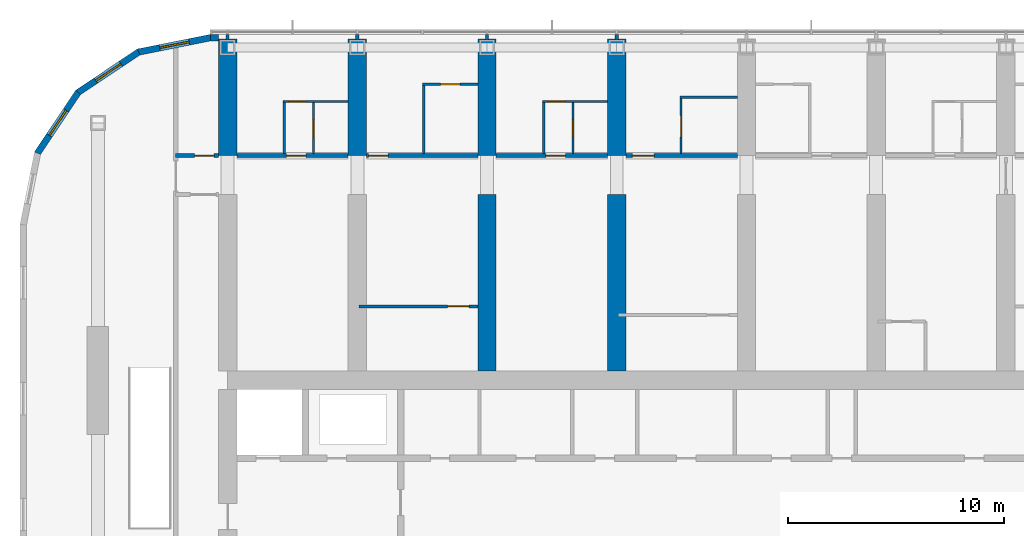
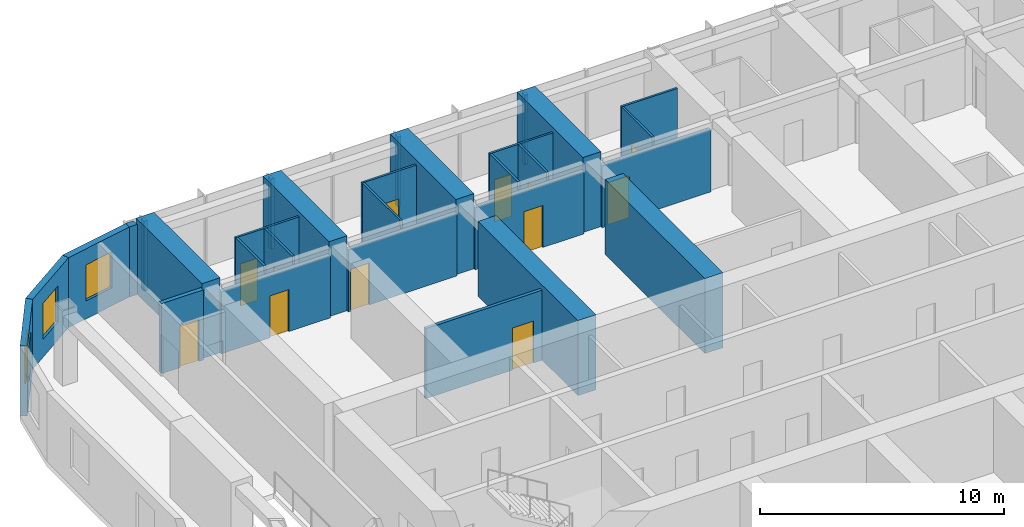
# One storey, part 15 of 22: 30 walls, 12 doors, 3 windows, 15 openings.
"""IFC4 building model written with IfcOpenShell, lengths in metres."""

from ifc_helpers import new_model, si_unit, direction, frame, frame_2d, origin, place, context, subcontext, project, spatial, polyline, rectangle, outline, extrude, material, layer, layer_set, type_object, element, fill, save


model = new_model("IFC4")

# Units and contexts
model_context = context("Model", 3, precision=1e-05, world=origin(), true_north=direction((0.0, 1.0)))
body_context = subcontext(model_context, "Body", "Model", "MODEL_VIEW")
ifc_project = project(units=[si_unit("LENGTHUNIT", "METRE"), si_unit("AREAUNIT", "SQUARE_METRE"), si_unit("VOLUMEUNIT", "CUBIC_METRE"), si_unit("PLANEANGLEUNIT", "RADIAN"), si_unit("MASSUNIT", "GRAM", prefix="KILO")], contexts=[model_context])

# Site, building, storey
site_placement = place(None, origin())
site = spatial("IfcSite", under=ifc_project, at=site_placement, CompositionType="ELEMENT")
building_placement = place(site_placement, origin())
building = spatial("IfcBuilding", under=site, at=building_placement, Name="Orbita Commons", CompositionType="ELEMENT")
storey_placement = place(building_placement, frame((0.0, 0.0, 182.35009765625)))
storey = spatial("IfcBuildingStorey", under=building, at=storey_placement, Name="L45", CompositionType="ELEMENT", Elevation=182.35009765625)

# Wall, opening, door
ifc_material_1 = material(Name="Concrete blockwork", Category="masonry")
ifc_layer_1 = layer(ifc_material_1, 0.199951171875)
ifc_layer_set_1 = layer_set([ifc_layer_1], Name="Concrete blockwork")
wall_type_1 = type_object("IfcWallType", Name="Corridor wall 200 blockwork", PredefinedType="SOLIDWALL", material=ifc_layer_set_1)
wall_1_placement = place(storey_placement, frame((15.60009765625, 48.60009765625, 0.0), z_axis=(0.0, 0.0, 1.0), x_axis=(1.0, 0.0, 0.0)))
wall_1 = element("IfcWall", 1, at=wall_1_placement, inside=storey, type_object=wall_type_1, Name="Corridor wall 200 blockwork L45", PredefinedType="SOLIDWALL", context=body_context, shape_type="SweptSolid", body=[
    extrude(rectangle(XDim=1.974853515625, YDim=0.199951171875, at=frame_2d((0.9873046875, 0.0))), origin(), (0.0, 0.0, 1.0), 3.5),
])
opening_1_placement = place(wall_1_placement, frame((0.875, 0.0, 0.0)))
opening_1 = element("IfcOpeningElement", 2, at=opening_1_placement, cuts=wall_1, Name="Opening D05", PredefinedType="OPENING", context=body_context, shape_type="SweptSolid", body=[
    extrude(rectangle(XDim=0.89990234375, YDim=2.10009765625, at=frame_2d((0.449951171875, 1.050048828125))), frame((0.0, 0.10986328125, 0.0), z_axis=(0.0, -1.0, 0.0), x_axis=(1.0, 0.0, 0.0)), (0.0, 0.0, 1.0), 0.219970703125),
])
ifc_material_2 = material(Name="Steel-faced fire door leaf", Category="steel")
door_type_1 = type_object("IfcDoorType", Name="Service door 20 min 900x2100", OperationType="SINGLE_SWING_LEFT", PredefinedType="DOOR", material=ifc_material_2)
door_1_placement = place(opening_1_placement, origin())
door_1 = element("IfcDoor", 3, at=door_1_placement, inside=storey, type_object=door_type_1, Name="Linen store L45-KWN door", OperationType="SINGLE_SWING_LEFT", OverallHeight=2.10009765625, OverallWidth=0.89990234375, PredefinedType="DOOR", context=body_context, shape_type="SweptSolid", body=[
    extrude(rectangle(XDim=0.89990234375, YDim=2.10009765625, at=frame_2d((0.449951171875, 1.050048828125))), frame((0.0, 0.02490234375, 0.0), z_axis=(0.0, -1.0, 0.0), x_axis=(1.0, 0.0, 0.0)), (0.0, 0.0, 1.0), 0.050048828125),
])
fill(opening_1, door_1)

wall_2_placement = place(storey_placement, frame((18.425048828125, 48.60009765625, 0.0), z_axis=(0.0, 0.0, 1.0), x_axis=(1.0, 0.0, 0.0)))
wall_2 = element("IfcWall", 4, at=wall_2_placement, inside=storey, type_object=wall_type_1, Name="Corridor wall 200 blockwork L45", PredefinedType="SOLIDWALL", context=body_context, shape_type="SweptSolid", body=[
    extrude(outline(polyline([(0.0, 0.0), (5.14990234375, 0.0), (5.14990234375, 3.099853515625), (0.0, 3.099853515625), (0.0, 0.0)])), frame((0.0, 0.10009765625, 0.0), z_axis=(0.0, -1.0, 0.0), x_axis=(1.0, 0.0, 0.0)), (0.0, 0.0, 1.0), 0.199951171875),
])
opening_2_placement = place(wall_2_placement, frame((2.300048828125, 0.0, 0.0)))
opening_2 = element("IfcOpeningElement", 5, at=opening_2_placement, cuts=wall_2, Name="Opening D11", PredefinedType="OPENING", context=body_context, shape_type="SweptSolid", body=[
    extrude(rectangle(XDim=0.89990234375, YDim=2.10009765625, at=frame_2d((0.449951171875, 1.050048828125))), frame((0.0, 0.10986328125, 0.0), z_axis=(0.0, -1.0, 0.0), x_axis=(1.0, 0.0, 0.0)), (0.0, 0.0, 1.0), 0.219970703125),
])
ifc_material_3 = material(Name="Steel-faced fire door leaf", Category="steel")
door_type_2 = type_object("IfcDoorType", Name="Corridor door 20 min 900x2100", OperationType="SINGLE_SWING_LEFT", PredefinedType="DOOR", material=ifc_material_3)
door_2_placement = place(opening_2_placement, origin())
door_2 = element("IfcDoor", 6, at=door_2_placement, inside=storey, type_object=door_type_2, Name="Studio flat L45-N00 entrance door", OperationType="SINGLE_SWING_LEFT", OverallHeight=2.10009765625, OverallWidth=0.89990234375, PredefinedType="DOOR", context=body_context, shape_type="SweptSolid", body=[
    extrude(rectangle(XDim=0.89990234375, YDim=2.10009765625, at=frame_2d((0.449951171875, 1.050048828125))), frame((0.0, 0.02490234375, 0.0), z_axis=(0.0, -1.0, 0.0), x_axis=(1.0, 0.0, 0.0)), (0.0, 0.0, 1.0), 0.050048828125),
])
fill(opening_2, door_2)

wall_3_placement = place(storey_placement, frame((24.425048828125, 48.60009765625, 0.0), z_axis=(0.0, 0.0, 1.0), x_axis=(1.0, 0.0, 0.0)))
wall_3 = element("IfcWall", 7, at=wall_3_placement, inside=storey, type_object=wall_type_1, Name="Corridor wall 200 blockwork L45", PredefinedType="SOLIDWALL", context=body_context, shape_type="SweptSolid", body=[
    extrude(outline(polyline([(0.0, 0.0), (5.14990234375, 0.0), (5.14990234375, 3.099853515625), (0.0, 3.099853515625), (0.0, 0.0)])), frame((0.0, 0.10009765625, 0.0), z_axis=(0.0, -1.0, 0.0), x_axis=(1.0, 0.0, 0.0)), (0.0, 0.0, 1.0), 0.199951171875),
])
opening_3_placement = place(wall_3_placement, frame((0.10009765625, 0.0, 0.0)))
opening_3 = element("IfcOpeningElement", 8, at=opening_3_placement, cuts=wall_3, Name="Opening D11", PredefinedType="OPENING", context=body_context, shape_type="SweptSolid", body=[
    extrude(rectangle(XDim=0.89990234375, YDim=2.10009765625, at=frame_2d((0.449951171875, 1.050048828125))), frame((0.0, 0.10986328125, 0.0), z_axis=(0.0, -1.0, 0.0), x_axis=(1.0, 0.0, 0.0)), (0.0, 0.0, 1.0), 0.219970703125),
])
door_3_placement = place(opening_3_placement, origin())
door_3 = element("IfcDoor", 9, at=door_3_placement, inside=storey, type_object=door_type_2, Name="Twin room L45-N02 door", OperationType="SINGLE_SWING_LEFT", OverallHeight=2.10009765625, OverallWidth=0.89990234375, PredefinedType="DOOR", context=body_context, shape_type="SweptSolid", body=[
    extrude(rectangle(XDim=0.89990234375, YDim=2.10009765625, at=frame_2d((0.449951171875, 1.050048828125))), frame((0.0, 0.02490234375, 0.0), z_axis=(0.0, -1.0, 0.0), x_axis=(1.0, 0.0, 0.0)), (0.0, 0.0, 1.0), 0.050048828125),
])
fill(opening_3, door_3)

wall_4_placement = place(storey_placement, frame((30.425048828125, 48.60009765625, 0.0), z_axis=(0.0, 0.0, 1.0), x_axis=(1.0, 0.0, 0.0)))
wall_4 = element("IfcWall", 10, at=wall_4_placement, inside=storey, type_object=wall_type_1, Name="Corridor wall 200 blockwork L45", PredefinedType="SOLIDWALL", context=body_context, shape_type="SweptSolid", body=[
    extrude(outline(polyline([(0.0, 0.0), (5.14990234375, 0.0), (5.14990234375, 3.099853515625), (0.0, 3.099853515625), (0.0, 0.0)])), frame((0.0, 0.10009765625, 0.0), z_axis=(0.0, -1.0, 0.0), x_axis=(1.0, 0.0, 0.0)), (0.0, 0.0, 1.0), 0.199951171875),
])
opening_4_placement = place(wall_4_placement, frame((2.300048828125, 0.0, 0.0)))
opening_4 = element("IfcOpeningElement", 11, at=opening_4_placement, cuts=wall_4, Name="Opening D11", PredefinedType="OPENING", context=body_context, shape_type="SweptSolid", body=[
    extrude(rectangle(XDim=0.89990234375, YDim=2.10009765625, at=frame_2d((0.449951171875, 1.050048828125))), frame((0.0, 0.10986328125, 0.0), z_axis=(0.0, -1.0, 0.0), x_axis=(1.0, 0.0, 0.0)), (0.0, 0.0, 1.0), 0.219970703125),
])
door_4_placement = place(opening_4_placement, origin())
door_4 = element("IfcDoor", 12, at=door_4_placement, inside=storey, type_object=door_type_2, Name="Studio flat L45-N04 entrance door", OperationType="SINGLE_SWING_LEFT", OverallHeight=2.10009765625, OverallWidth=0.89990234375, PredefinedType="DOOR", context=body_context, shape_type="SweptSolid", body=[
    extrude(rectangle(XDim=0.89990234375, YDim=2.10009765625, at=frame_2d((0.449951171875, 1.050048828125))), frame((0.0, 0.02490234375, 0.0), z_axis=(0.0, -1.0, 0.0), x_axis=(1.0, 0.0, 0.0)), (0.0, 0.0, 1.0), 0.050048828125),
])
fill(opening_4, door_4)

wall_5_placement = place(storey_placement, frame((36.425048828125, 48.60009765625, 0.0), z_axis=(0.0, 0.0, 1.0), x_axis=(1.0, 0.0, 0.0)))
wall_5 = element("IfcWall", 13, at=wall_5_placement, inside=storey, type_object=wall_type_1, Name="Corridor wall 200 blockwork L45", PredefinedType="SOLIDWALL", context=body_context, shape_type="SweptSolid", body=[
    extrude(outline(polyline([(0.0, 0.0), (5.14990234375, 0.0), (5.14990234375, 3.099853515625), (0.0, 3.099853515625), (0.0, 0.0)])), frame((0.0, 0.10009765625, 0.0), z_axis=(0.0, -1.0, 0.0), x_axis=(1.0, 0.0, 0.0)), (0.0, 0.0, 1.0), 0.199951171875),
])
opening_5_placement = place(wall_5_placement, frame((0.300048828125, 0.0, 0.0)))
opening_5 = element("IfcOpeningElement", 14, at=opening_5_placement, cuts=wall_5, Name="Opening D06", PredefinedType="OPENING", context=body_context, shape_type="SweptSolid", body=[
    extrude(rectangle(XDim=1.0, YDim=2.10009765625, at=frame_2d((0.5, 1.050048828125))), frame((0.0, 0.10986328125, 0.0), z_axis=(0.0, -1.0, 0.0), x_axis=(1.0, 0.0, 0.0)), (0.0, 0.0, 1.0), 0.219970703125),
])
ifc_material_4 = material(Name="Steel-faced fire door leaf", Category="steel")
door_type_3 = type_object("IfcDoorType", Name="Corridor door 20 min 1000x2100", OperationType="SINGLE_SWING_LEFT", PredefinedType="DOOR", material=ifc_material_4)
door_5_placement = place(opening_5_placement, origin())
door_5 = element("IfcDoor", 15, at=door_5_placement, inside=storey, type_object=door_type_3, Name="Accessible bedroom L45-N06 door", OperationType="SINGLE_SWING_LEFT", OverallHeight=2.10009765625, OverallWidth=1.0, PredefinedType="DOOR", context=body_context, shape_type="SweptSolid", body=[
    extrude(rectangle(XDim=1.0, YDim=2.10009765625, at=frame_2d((0.5, 1.050048828125))), frame((0.0, 0.02490234375, 0.0), z_axis=(0.0, -1.0, 0.0), x_axis=(1.0, 0.0, 0.0)), (0.0, 0.0, 1.0), 0.050048828125),
])
fill(opening_5, door_5)

# Walls
ifc_material_5 = material(Name="Concrete C50/60", Category="concrete")
ifc_layer_2 = layer(ifc_material_5, 0.85009765625)
ifc_layer_set_2 = layer_set([ifc_layer_2], Name="Concrete C50/60")
wall_type_2 = type_object("IfcWallType", Name="Cross wall 850 C50/60", PredefinedType="SHEAR", material=ifc_layer_set_2)
for number, where, z_axis, x_axis, name in (
    (16, (18.0, 48.60009765625, 0.0), (0.0, 0.0, 1.0), (0.0, 1.0, 0.0), "Cross wall 4 north outer L45"),
    (17, (24.0, 48.60009765625, 0.0), (0.0, 0.0, 1.0), (0.0, 1.0, 0.0), "Cross wall 5 north outer L45"),
    (18, (30.0, 48.60009765625, 0.0), (0.0, 0.0, 1.0), (0.0, 1.0, 0.0), "Cross wall 6 north outer L45"),
):
    element("IfcWall", number, at=place(storey_placement, frame(where, z_axis=z_axis, x_axis=x_axis)), inside=storey, type_object=wall_type_2, Name=name, PredefinedType="SHEAR", context=body_context, shape_type="SweptSolid", body=[
        extrude(rectangle(XDim=5.39990234375, YDim=0.85009765625, at=frame_2d((2.699951171875, 0.0))), origin(), (0.0, 0.0, 1.0), 3.75),
    ])
wall_6_placement = place(storey_placement, frame((30.0, 38.625, 0.0), z_axis=(0.0, 0.0, 1.0), x_axis=(0.0, 1.0, 0.0)))
element("IfcWall", 19, at=wall_6_placement, inside=storey, type_object=wall_type_2, Name="Cross wall 6 north inner L45", PredefinedType="SHEAR", context=body_context, shape_type="SweptSolid", body=[
    extrude(rectangle(XDim=8.175048828125, YDim=0.85009765625, at=frame_2d((4.08740234375, 0.0))), origin(), (0.0, 0.0, 1.0), 3.75),
])
wall_7_placement = place(storey_placement, frame((36.0, 48.60009765625, 0.0), z_axis=(0.0, 0.0, 1.0), x_axis=(0.0, 1.0, 0.0)))
element("IfcWall", 20, at=wall_7_placement, inside=storey, type_object=wall_type_2, Name="Cross wall 7 north outer L45", PredefinedType="SHEAR", context=body_context, shape_type="SweptSolid", body=[
    extrude(rectangle(XDim=5.39990234375, YDim=0.85009765625, at=frame_2d((2.699951171875, 0.0))), origin(), (0.0, 0.0, 1.0), 3.75),
])
wall_8_placement = place(storey_placement, frame((36.0, 38.625, 0.0), z_axis=(0.0, 0.0, 1.0), x_axis=(0.0, 1.0, 0.0)))
element("IfcWall", 21, at=wall_8_placement, inside=storey, type_object=wall_type_2, Name="Cross wall 7 north inner L45", PredefinedType="SHEAR", context=body_context, shape_type="SweptSolid", body=[
    extrude(rectangle(XDim=8.175048828125, YDim=0.85009765625, at=frame_2d((4.08740234375, 0.0))), origin(), (0.0, 0.0, 1.0), 3.75),
])

# Wall, opening, door
ifc_material_6 = material(Name="Moisture-resistant plasterboard on steel studs", Category="steel")
ifc_layer_3 = layer(ifc_material_6, 0.10009765625)
ifc_layer_set_3 = layer_set([ifc_layer_3], Name="Moisture-resistant plasterboard on steel studs")
wall_type_3 = type_object("IfcWallType", Name="En-suite partition 100", PredefinedType="PARTITIONING", material=ifc_layer_set_3)
wall_9_placement = place(storey_placement, frame((20.574951171875, 51.10009765625, 0.0), z_axis=(0.0, 0.0, 1.0), x_axis=(1.0, 0.0, 0.0)))
wall_9 = element("IfcWall", 22, at=wall_9_placement, inside=storey, type_object=wall_type_3, Name="En-suite partition 100 L45", PredefinedType="PARTITIONING", context=body_context, shape_type="SweptSolid", body=[
    extrude(rectangle(XDim=3.0, YDim=0.10009765625, at=frame_2d((1.5, 0.0))), origin(), (0.0, 0.0, 1.0), 3.5),
])
opening_6_placement = place(wall_9_placement, frame((0.25, 0.0, 0.0)))
opening_6 = element("IfcOpeningElement", 23, at=opening_6_placement, cuts=wall_9, Name="Opening D16", PredefinedType="OPENING", context=body_context, shape_type="SweptSolid", body=[
    extrude(rectangle(XDim=0.800048828125, YDim=2.10009765625, at=frame_2d((0.39990234375, 1.050048828125))), frame((0.0, 0.06005859375, 0.0), z_axis=(0.0, -1.0, 0.0), x_axis=(1.0, 0.0, 0.0)), (0.0, 0.0, 1.0), 0.1201171875),
])
ifc_material_7 = material(Name="Laminated timber door leaf", Category="wood")
door_type_4 = type_object("IfcDoorType", Name="En-suite door 800x2100", OperationType="SINGLE_SWING_RIGHT", PredefinedType="DOOR", material=ifc_material_7)
door_6_placement = place(opening_6_placement, origin())
door_6 = element("IfcDoor", 24, at=door_6_placement, inside=storey, type_object=door_type_4, Name="Studio flat L45-N00 door", OperationType="SINGLE_SWING_RIGHT", OverallHeight=2.10009765625, OverallWidth=0.800048828125, PredefinedType="DOOR", context=body_context, shape_type="SweptSolid", body=[
    extrude(rectangle(XDim=0.800048828125, YDim=2.10009765625, at=frame_2d((0.39990234375, 1.050048828125))), frame((0.0, 0.02490234375, 0.0), z_axis=(0.0, -1.0, 0.0), x_axis=(1.0, 0.0, 0.0)), (0.0, 0.0, 1.0), 0.050048828125),
])
fill(opening_6, door_6)

# Wall
wall_10_placement = place(storey_placement, frame((20.625, 51.050048828125, 0.0), z_axis=(0.0, 0.0, 1.0), x_axis=(0.0, -1.0, 0.0)))
element("IfcWall", 25, at=wall_10_placement, inside=storey, type_object=wall_type_3, Name="En-suite partition 100 L45", PredefinedType="PARTITIONING", context=body_context, shape_type="SweptSolid", body=[
    extrude(outline(polyline([(0.0, 0.0), (2.35009765625, 0.0), (2.35009765625, 3.099853515625), (2.302001953125, 3.099853515625), (2.300048828125, 3.5), (0.0, 3.5), (0.0, 0.0)])), frame((0.0, 0.050048828125, 0.0), z_axis=(0.0, -1.0, 0.0), x_axis=(1.0, 0.0, 0.0)), (0.0, 0.0, 1.0), 0.10009765625),
])

# Wall, opening, door
wall_11_placement = place(storey_placement, frame((21.97509765625, 51.050048828125, 0.0), z_axis=(0.0, 0.0, 1.0), x_axis=(0.0, -1.0, 0.0)))
wall_11 = element("IfcWall", 26, at=wall_11_placement, inside=storey, type_object=wall_type_3, Name="En-suite partition 100 L45", PredefinedType="PARTITIONING", context=body_context, shape_type="SweptSolid", body=[
    extrude(outline(polyline([(0.0, 0.0), (2.35009765625, 0.0), (2.35009765625, 3.099853515625), (2.302001953125, 3.099853515625), (2.300048828125, 3.5), (0.0, 3.5), (0.0, 0.0)])), frame((0.0, 0.050048828125, 0.0), z_axis=(0.0, -1.0, 0.0), x_axis=(1.0, 0.0, 0.0)), (0.0, 0.0, 1.0), 0.10009765625),
])
opening_7_placement = place(wall_11_placement, frame((0.800048828125, 0.0, 0.0)))
opening_7 = element("IfcOpeningElement", 27, at=opening_7_placement, cuts=wall_11, Name="Opening D16", PredefinedType="OPENING", context=body_context, shape_type="SweptSolid", body=[
    extrude(rectangle(XDim=0.800048828125, YDim=2.10009765625, at=frame_2d((0.39990234375, 1.050048828125))), frame((0.0, 0.06005859375, 0.0), z_axis=(0.0, -1.0, 0.0), x_axis=(1.0, 0.0, 0.0)), (0.0, 0.0, 1.0), 0.1201171875),
])
door_7_placement = place(opening_7_placement, origin())
door_7 = element("IfcDoor", 28, at=door_7_placement, inside=storey, type_object=door_type_4, Name="Studio flat shower room L45-N00 door", OperationType="SINGLE_SWING_RIGHT", OverallHeight=2.10009765625, OverallWidth=0.800048828125, PredefinedType="DOOR", context=body_context, shape_type="SweptSolid", body=[
    extrude(rectangle(XDim=0.800048828125, YDim=2.10009765625, at=frame_2d((0.39990234375, 1.050048828125))), frame((0.0, 0.02490234375, 0.0), z_axis=(0.0, -1.0, 0.0), x_axis=(1.0, 0.0, 0.0)), (0.0, 0.0, 1.0), 0.050048828125),
])
fill(opening_7, door_7)

wall_12_placement = place(storey_placement, frame((27.02490234375, 51.89990234375, 0.0), z_axis=(0.0, 0.0, 1.0), x_axis=(1.0, 0.0, 0.0)))
wall_12 = element("IfcWall", 29, at=wall_12_placement, inside=storey, type_object=wall_type_3, Name="En-suite partition 100 L45", PredefinedType="PARTITIONING", context=body_context, shape_type="SweptSolid", body=[
    extrude(rectangle(XDim=2.550048828125, YDim=0.10009765625, at=frame_2d((1.27490234375, 0.0))), origin(), (0.0, 0.0, 1.0), 3.5),
])
opening_8_placement = place(wall_12_placement, frame((0.824951171875, 0.0, 0.0)))
opening_8 = element("IfcOpeningElement", 30, at=opening_8_placement, cuts=wall_12, Name="Opening D09", PredefinedType="OPENING", context=body_context, shape_type="SweptSolid", body=[
    extrude(rectangle(XDim=0.89990234375, YDim=2.10009765625, at=frame_2d((0.449951171875, 1.050048828125))), frame((0.0, 0.06005859375, 0.0), z_axis=(0.0, -1.0, 0.0), x_axis=(1.0, 0.0, 0.0)), (0.0, 0.0, 1.0), 0.1201171875),
])
ifc_material_8 = material(Name="Laminated timber door leaf", Category="wood")
door_type_5 = type_object("IfcDoorType", Name="En-suite door 900x2100", OperationType="SINGLE_SWING_RIGHT", PredefinedType="DOOR", material=ifc_material_8)
door_8_placement = place(opening_8_placement, origin())
door_8 = element("IfcDoor", 31, at=door_8_placement, inside=storey, type_object=door_type_5, Name="En-suite L45-N02 door", OperationType="SINGLE_SWING_RIGHT", OverallHeight=2.10009765625, OverallWidth=0.89990234375, PredefinedType="DOOR", context=body_context, shape_type="SweptSolid", body=[
    extrude(rectangle(XDim=0.89990234375, YDim=2.10009765625, at=frame_2d((0.449951171875, 1.050048828125))), frame((0.0, 0.02490234375, 0.0), z_axis=(0.0, -1.0, 0.0), x_axis=(1.0, 0.0, 0.0)), (0.0, 0.0, 1.0), 0.050048828125),
])
fill(opening_8, door_8)

# Wall
wall_13_placement = place(storey_placement, frame((27.074951171875, 51.85009765625, 0.0), z_axis=(0.0, 0.0, 1.0), x_axis=(0.0, -1.0, 0.0)))
element("IfcWall", 32, at=wall_13_placement, inside=storey, type_object=wall_type_3, Name="En-suite partition 100 L45", PredefinedType="PARTITIONING", context=body_context, shape_type="SweptSolid", body=[
    extrude(outline(polyline([(0.0, 0.0), (3.150146484375, 0.0), (3.14990234375, 3.099853515625), (3.10205078125, 3.099853515625), (3.10009765625, 3.5), (0.0, 3.5), (0.0, 0.0)])), frame((0.0, 0.050048828125, 0.0), z_axis=(0.0, -1.0, 0.0), x_axis=(1.0, 0.0, 0.0)), (0.0, 0.0, 1.0), 0.10009765625),
])

# Wall, opening, door
wall_14_placement = place(storey_placement, frame((32.574951171875, 51.10009765625, 0.0), z_axis=(0.0, 0.0, 1.0), x_axis=(1.0, 0.0, 0.0)))
wall_14 = element("IfcWall", 33, at=wall_14_placement, inside=storey, type_object=wall_type_3, Name="En-suite partition 100 L45", PredefinedType="PARTITIONING", context=body_context, shape_type="SweptSolid", body=[
    extrude(rectangle(XDim=3.0, YDim=0.10009765625, at=frame_2d((1.5, 0.0))), origin(), (0.0, 0.0, 1.0), 3.5),
])
opening_9_placement = place(wall_14_placement, frame((0.25, 0.0, 0.0)))
opening_9 = element("IfcOpeningElement", 34, at=opening_9_placement, cuts=wall_14, Name="Opening D16", PredefinedType="OPENING", context=body_context, shape_type="SweptSolid", body=[
    extrude(rectangle(XDim=0.800048828125, YDim=2.10009765625, at=frame_2d((0.39990234375, 1.050048828125))), frame((0.0, 0.06005859375, 0.0), z_axis=(0.0, -1.0, 0.0), x_axis=(1.0, 0.0, 0.0)), (0.0, 0.0, 1.0), 0.1201171875),
])
door_9_placement = place(opening_9_placement, origin())
door_9 = element("IfcDoor", 35, at=door_9_placement, inside=storey, type_object=door_type_4, Name="Studio flat L45-N04 door", OperationType="SINGLE_SWING_RIGHT", OverallHeight=2.10009765625, OverallWidth=0.800048828125, PredefinedType="DOOR", context=body_context, shape_type="SweptSolid", body=[
    extrude(rectangle(XDim=0.800048828125, YDim=2.10009765625, at=frame_2d((0.39990234375, 1.050048828125))), frame((0.0, 0.02490234375, 0.0), z_axis=(0.0, -1.0, 0.0), x_axis=(1.0, 0.0, 0.0)), (0.0, 0.0, 1.0), 0.050048828125),
])
fill(opening_9, door_9)

# Wall
wall_15_placement = place(storey_placement, frame((32.625, 51.050048828125, 0.0), z_axis=(0.0, 0.0, 1.0), x_axis=(0.0, -1.0, 0.0)))
element("IfcWall", 36, at=wall_15_placement, inside=storey, type_object=wall_type_3, Name="En-suite partition 100 L45", PredefinedType="PARTITIONING", context=body_context, shape_type="SweptSolid", body=[
    extrude(outline(polyline([(0.0, 0.0), (2.35009765625, 0.0), (2.35009765625, 3.099853515625), (2.302001953125, 3.099853515625), (2.300048828125, 3.5), (0.0, 3.5), (0.0, 0.0)])), frame((0.0, 0.050048828125, 0.0), z_axis=(0.0, -1.0, 0.0), x_axis=(1.0, 0.0, 0.0)), (0.0, 0.0, 1.0), 0.10009765625),
])

# Wall, opening, door
wall_16_placement = place(storey_placement, frame((33.97509765625, 51.050048828125, 0.0), z_axis=(0.0, 0.0, 1.0), x_axis=(0.0, -1.0, 0.0)))
wall_16 = element("IfcWall", 37, at=wall_16_placement, inside=storey, type_object=wall_type_3, Name="En-suite partition 100 L45", PredefinedType="PARTITIONING", context=body_context, shape_type="SweptSolid", body=[
    extrude(outline(polyline([(0.0, 0.0), (2.35009765625, 0.0), (2.35009765625, 3.099853515625), (2.302001953125, 3.099853515625), (2.300048828125, 3.5), (0.0, 3.5), (0.0, 0.0)])), frame((0.0, 0.050048828125, 0.0), z_axis=(0.0, -1.0, 0.0), x_axis=(1.0, 0.0, 0.0)), (0.0, 0.0, 1.0), 0.10009765625),
])
opening_10_placement = place(wall_16_placement, frame((0.800048828125, 0.0, 0.0)))
opening_10 = element("IfcOpeningElement", 38, at=opening_10_placement, cuts=wall_16, Name="Opening D16", PredefinedType="OPENING", context=body_context, shape_type="SweptSolid", body=[
    extrude(rectangle(XDim=0.800048828125, YDim=2.10009765625, at=frame_2d((0.39990234375, 1.050048828125))), frame((0.0, 0.06005859375, 0.0), z_axis=(0.0, -1.0, 0.0), x_axis=(1.0, 0.0, 0.0)), (0.0, 0.0, 1.0), 0.1201171875),
])
door_10_placement = place(opening_10_placement, origin())
door_10 = element("IfcDoor", 39, at=door_10_placement, inside=storey, type_object=door_type_4, Name="Studio flat shower room L45-N04 door", OperationType="SINGLE_SWING_RIGHT", OverallHeight=2.10009765625, OverallWidth=0.800048828125, PredefinedType="DOOR", context=body_context, shape_type="SweptSolid", body=[
    extrude(rectangle(XDim=0.800048828125, YDim=2.10009765625, at=frame_2d((0.39990234375, 1.050048828125))), frame((0.0, 0.02490234375, 0.0), z_axis=(0.0, -1.0, 0.0), x_axis=(1.0, 0.0, 0.0)), (0.0, 0.0, 1.0), 0.050048828125),
])
fill(opening_10, door_10)

# Wall
wall_17_placement = place(storey_placement, frame((38.925048828125, 51.300048828125, 0.0), z_axis=(0.0, 0.0, 1.0), x_axis=(1.0, 0.0, 0.0)))
element("IfcWall", 40, at=wall_17_placement, inside=storey, type_object=wall_type_3, Name="En-suite partition 100 L45", PredefinedType="PARTITIONING", context=body_context, shape_type="SweptSolid", body=[
    extrude(rectangle(XDim=2.64990234375, YDim=0.10009765625, at=frame_2d((1.324951171875, 0.0))), origin(), (0.0, 0.0, 1.0), 3.5),
])

# Wall, opening, door
wall_18_placement = place(storey_placement, frame((38.97509765625, 51.25, 0.0), z_axis=(0.0, 0.0, 1.0), x_axis=(0.0, -1.0, 0.0)))
wall_18 = element("IfcWall", 41, at=wall_18_placement, inside=storey, type_object=wall_type_3, Name="En-suite partition 100 L45", PredefinedType="PARTITIONING", context=body_context, shape_type="SweptSolid", body=[
    extrude(outline(polyline([(0.0, 0.0), (2.550048828125, 0.0), (2.550048828125, 3.099853515625), (2.501953125, 3.099853515625), (2.5, 3.5), (0.0, 3.5), (0.0, 0.0)])), frame((0.0, 0.050048828125, 0.0), z_axis=(0.0, -1.0, 0.0), x_axis=(1.0, 0.0, 0.0)), (0.0, 0.0, 1.0), 0.10009765625),
])
opening_11_placement = place(wall_18_placement, frame((0.800048828125, 0.0, 0.0)))
opening_11 = element("IfcOpeningElement", 42, at=opening_11_placement, cuts=wall_18, Name="Opening D13", PredefinedType="OPENING", context=body_context, shape_type="SweptSolid", body=[
    extrude(rectangle(XDim=1.0, YDim=2.10009765625, at=frame_2d((0.5, 1.050048828125))), frame((0.0, 0.06005859375, 0.0), z_axis=(0.0, -1.0, 0.0), x_axis=(1.0, 0.0, 0.0)), (0.0, 0.0, 1.0), 0.1201171875),
])
ifc_material_9 = material(Name="Laminated timber door leaf", Category="wood")
door_type_6 = type_object("IfcDoorType", Name="En-suite door 1000x2100", OperationType="SINGLE_SWING_RIGHT", PredefinedType="DOOR", material=ifc_material_9)
door_11_placement = place(opening_11_placement, origin())
door_11 = element("IfcDoor", 43, at=door_11_placement, inside=storey, type_object=door_type_6, Name="Accessible shower room L45-N06 door", OperationType="SINGLE_SWING_RIGHT", OverallHeight=2.10009765625, OverallWidth=1.0, PredefinedType="DOOR", context=body_context, shape_type="SweptSolid", body=[
    extrude(rectangle(XDim=1.0, YDim=2.10009765625, at=frame_2d((0.5, 1.050048828125))), frame((0.0, 0.02490234375, 0.0), z_axis=(0.0, -1.0, 0.0), x_axis=(1.0, 0.0, 0.0)), (0.0, 0.0, 1.0), 0.050048828125),
])
fill(opening_11, door_11)

ifc_material_10 = material(Name="Gypsum plasterboard on steel studs", Category="steel")
ifc_layer_4 = layer(ifc_material_10, 0.14990234375)
ifc_layer_set_4 = layer_set([ifc_layer_4], Name="Gypsum plasterboard on steel studs")
wall_type_4 = type_object("IfcWallType", Name="Partition 150 plasterboard", PredefinedType="PARTITIONING", material=ifc_layer_set_4)
wall_19_placement = place(storey_placement, frame((29.574951171875, 41.625, 0.0), z_axis=(0.0, 0.0, 1.0), x_axis=(-1.0, 0.0, 0.0)))
wall_19 = element("IfcWall", 44, at=wall_19_placement, inside=storey, type_object=wall_type_4, Name="Partition 150 plasterboard L45", PredefinedType="PARTITIONING", context=body_context, shape_type="SweptSolid", body=[
    extrude(rectangle(XDim=5.5, YDim=0.14990234375, at=frame_2d((2.75, 0.0))), origin(), (0.0, 0.0, 1.0), 3.5),
])
opening_12_placement = place(wall_19_placement, frame((0.39990234375, 0.0, 0.0)))
opening_12 = element("IfcOpeningElement", 45, at=opening_12_placement, cuts=wall_19, Name="Opening D17", PredefinedType="OPENING", context=body_context, shape_type="SweptSolid", body=[
    extrude(rectangle(XDim=1.0, YDim=2.10009765625, at=frame_2d((0.5, 1.050048828125))), frame((0.0, 0.0849609375, 0.0), z_axis=(0.0, -1.0, 0.0), x_axis=(1.0, 0.0, 0.0)), (0.0, 0.0, 1.0), 0.169921875),
])
ifc_material_11 = material(Name="Steel-faced fire door leaf", Category="steel")
door_type_7 = type_object("IfcDoorType", Name="Shaft access door 90 min 1000x2100", OperationType="SINGLE_SWING_LEFT", PredefinedType="DOOR", material=ifc_material_11)
door_12_placement = place(opening_12_placement, origin())
door_12 = element("IfcDoor", 46, at=door_12_placement, inside=storey, type_object=door_type_7, Name="Ventilation plant room north L45-BDN24 door", OperationType="SINGLE_SWING_LEFT", OverallHeight=2.10009765625, OverallWidth=1.0, PredefinedType="DOOR", context=body_context, shape_type="SweptSolid", body=[
    extrude(rectangle(XDim=1.0, YDim=2.10009765625, at=frame_2d((0.5, 1.050048828125))), frame((0.0, 0.02490234375, 0.0), z_axis=(0.0, -1.0, 0.0), x_axis=(1.0, 0.0, 0.0)), (0.0, 0.0, 1.0), 0.050048828125),
])
fill(opening_12, door_12)

# Walls
for number, where, z_axis, x_axis, name in (
    (47, (18.0, 53.949951171875, 0.0), (0.0, 0.0, 1.0), (0.0, 1.0, 0.0), "Partition 150 plasterboard L45"),
    (48, (24.0, 53.949951171875, 0.0), (0.0, 0.0, 1.0), (0.0, 1.0, 0.0), "Partition 150 plasterboard L45"),
    (49, (30.0, 53.949951171875, 0.0), (0.0, 0.0, 1.0), (0.0, 1.0, 0.0), "Partition 150 plasterboard L45"),
    (50, (36.0, 53.949951171875, 0.0), (0.0, 0.0, 1.0), (0.0, 1.0, 0.0), "Partition 150 plasterboard L45"),
):
    element("IfcWall", number, at=place(storey_placement, frame(where, z_axis=z_axis, x_axis=x_axis)), inside=storey, type_object=wall_type_4, Name=name, PredefinedType="PARTITIONING", context=body_context, shape_type="SweptSolid", body=[
        extrude(rectangle(XDim=0.239990234375, YDim=0.14990234375, at=frame_2d((0.1201171875, 0.0))), origin(), (0.0, 0.0, 1.0), 3.5),
    ])

# Wall, opening, window
ifc_material_12 = material(Name="Precast concrete C40/50, white board-marked finish", Category="concrete")
ifc_layer_5 = layer(ifc_material_12, 0.300048828125)
ifc_layer_set_5 = layer_set([ifc_layer_5], Name="Precast concrete C40/50, white board-marked finish")
wall_type_5 = type_object("IfcWallType", Name="Precast concrete end shield 300", PredefinedType="SOLIDWALL", material=ifc_layer_set_5)
wall_20_placement = place(storey_placement, frame((17.199951171875, 54.050048828125, 0.0), z_axis=(0.0, 0.0, 1.0), x_axis=(-0.98078325777, -0.195100490205, 0.0)))
wall_20 = element("IfcWall", 51, at=wall_20_placement, inside=storey, type_object=wall_type_5, Name="End shield NW chord 1 L45", PredefinedType="SOLIDWALL", context=body_context, shape_type="SweptSolid", body=[
    extrude(outline(polyline([(-0.02978515625, -0.14990234375), (3.40478515625, -0.14990234375), (3.34521484375, 0.14990234375), (0.02978515625, 0.14990234375), (-0.02978515625, -0.14990234375)])), origin(), (0.0, 0.0, 1.0), 3.5),
])
opening_13_placement = place(wall_20_placement, frame((0.987548828125, 0.0, 0.89990234375)))
opening_13 = element("IfcOpeningElement", 52, at=opening_13_placement, cuts=wall_20, Name="Opening W02", PredefinedType="OPENING", context=body_context, shape_type="SweptSolid", body=[
    extrude(rectangle(XDim=1.39990234375, YDim=1.800048828125, at=frame_2d((0.699951171875, 0.89990234375))), frame((0.0, 0.159912109375, 0.0), z_axis=(0.0, -1.0, 0.0), x_axis=(1.0, 0.0, 0.0)), (0.0, 0.0, 1.0), 0.320068359375),
])
ifc_material_13 = material(Name="Aluminium frame, clear double glazing", Category="aluminium")
window_type = type_object("IfcWindowType", Name="Deep-set window 1400x1800", PartitioningType="SINGLE_PANEL", PredefinedType="WINDOW", material=ifc_material_13)
window_1_placement = place(opening_13_placement, origin())
window_1 = element("IfcWindow", 53, at=window_1_placement, inside=storey, type_object=window_type, Name="Window L45-NW0", OverallHeight=1.800048828125, OverallWidth=1.39990234375, PartitioningType="SINGLE_PANEL", PredefinedType="WINDOW", context=body_context, shape_type="SweptSolid", body=[
    extrude(rectangle(XDim=1.39990234375, YDim=1.800048828125, at=frame_2d((0.699951171875, 0.89990234375))), frame((0.0, 0.030029296875, 0.0), z_axis=(0.0, -1.0, 0.0), x_axis=(1.0, 0.0, 0.0)), (0.0, 0.0, 1.0), 0.06005859375),
])
fill(opening_13, window_1)

wall_21_placement = place(storey_placement, frame((13.889892578125, 53.3916015625, 0.0), z_axis=(0.0, 0.0, 1.0), x_axis=(-0.831493450887, -0.555534554399, 0.0)))
wall_21 = element("IfcWall", 54, at=wall_21_placement, inside=storey, type_object=wall_type_5, Name="End shield NW chord 2 L45", PredefinedType="SOLIDWALL", context=body_context, shape_type="SweptSolid", body=[
    extrude(outline(polyline([(-0.02978515625, -0.14990234375), (3.405029296875, -0.14990234375), (3.345458984375, 0.14990234375), (0.02978515625, 0.14990234375), (-0.02978515625, -0.14990234375)])), origin(), (0.0, 0.0, 1.0), 3.5),
])
opening_14_placement = place(wall_21_placement, frame((0.987548828125, 0.0, 0.89990234375)))
opening_14 = element("IfcOpeningElement", 55, at=opening_14_placement, cuts=wall_21, Name="Opening W02", PredefinedType="OPENING", context=body_context, shape_type="SweptSolid", body=[
    extrude(rectangle(XDim=1.39990234375, YDim=1.800048828125, at=frame_2d((0.699951171875, 0.89990234375))), frame((0.0, 0.159912109375, 0.0), z_axis=(0.0, -1.0, 0.0), x_axis=(1.0, 0.0, 0.0)), (0.0, 0.0, 1.0), 0.320068359375),
])
window_2_placement = place(opening_14_placement, origin())
window_2 = element("IfcWindow", 56, at=window_2_placement, inside=storey, type_object=window_type, Name="Window L45-NW1", OverallHeight=1.800048828125, OverallWidth=1.39990234375, PartitioningType="SINGLE_PANEL", PredefinedType="WINDOW", context=body_context, shape_type="SweptSolid", body=[
    extrude(rectangle(XDim=1.39990234375, YDim=1.800048828125, at=frame_2d((0.699951171875, 0.89990234375))), frame((0.0, 0.030029296875, 0.0), z_axis=(0.0, -1.0, 0.0), x_axis=(1.0, 0.0, 0.0)), (0.0, 0.0, 1.0), 0.06005859375),
])
fill(opening_14, window_2)

wall_22_placement = place(storey_placement, frame((11.08349609375, 51.5166015625, 0.0), z_axis=(0.0, 0.0, 1.0), x_axis=(-0.555534554399, -0.831493450887, 0.0)))
wall_22 = element("IfcWall", 57, at=wall_22_placement, inside=storey, type_object=wall_type_5, Name="End shield NW chord 3 L45", PredefinedType="SOLIDWALL", context=body_context, shape_type="SweptSolid", body=[
    extrude(outline(polyline([(-0.02978515625, -0.14990234375), (3.405029296875, -0.14990234375), (3.345458984375, 0.14990234375), (0.02978515625, 0.14990234375), (-0.02978515625, -0.14990234375)])), origin(), (0.0, 0.0, 1.0), 3.5),
])
opening_15_placement = place(wall_22_placement, frame((0.987548828125, 0.0, 0.89990234375)))
opening_15 = element("IfcOpeningElement", 58, at=opening_15_placement, cuts=wall_22, Name="Opening W02", PredefinedType="OPENING", context=body_context, shape_type="SweptSolid", body=[
    extrude(rectangle(XDim=1.39990234375, YDim=1.800048828125, at=frame_2d((0.699951171875, 0.89990234375))), frame((0.0, 0.159912109375, 0.0), z_axis=(0.0, -1.0, 0.0), x_axis=(1.0, 0.0, 0.0)), (0.0, 0.0, 1.0), 0.320068359375),
])
window_3_placement = place(opening_15_placement, origin())
window_3 = element("IfcWindow", 59, at=window_3_placement, inside=storey, type_object=window_type, Name="Window L45-NW2", OverallHeight=1.800048828125, OverallWidth=1.39990234375, PartitioningType="SINGLE_PANEL", PredefinedType="WINDOW", context=body_context, shape_type="SweptSolid", body=[
    extrude(rectangle(XDim=1.39990234375, YDim=1.800048828125, at=frame_2d((0.699951171875, 0.89990234375))), frame((0.0, 0.030029296875, 0.0), z_axis=(0.0, -1.0, 0.0), x_axis=(1.0, 0.0, 0.0)), (0.0, 0.0, 1.0), 0.06005859375),
])
fill(opening_15, window_3)

# Wall
wall_23_placement = place(storey_placement, frame((17.199951171875, 54.050048828125, 0.0), z_axis=(0.0, 0.0, 1.0), x_axis=(1.0, 0.0, 0.0)))
element("IfcWall", 60, at=wall_23_placement, inside=storey, type_object=wall_type_5, Name="End shield NW closer L45", PredefinedType="SOLIDWALL", context=body_context, shape_type="SweptSolid", body=[
    extrude(rectangle(XDim=0.375, YDim=0.300048828125, at=frame_2d((0.1875, 0.0))), origin(), (0.0, 0.0, 1.0), 3.5),
])

save(model, "model.ifc")
